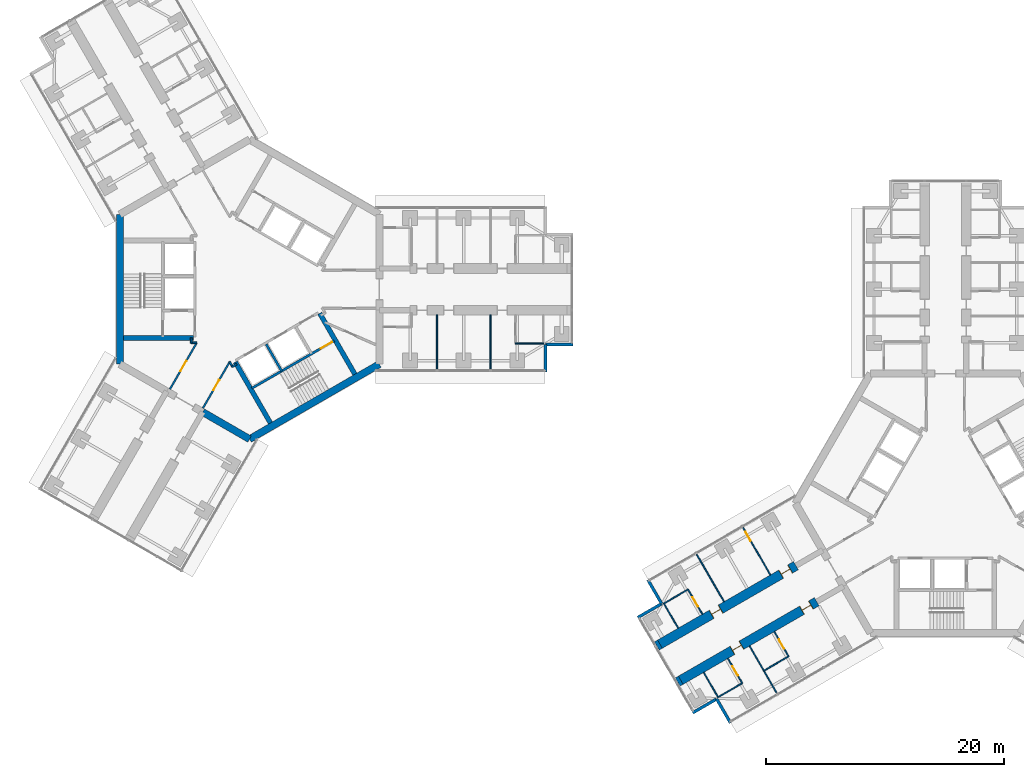
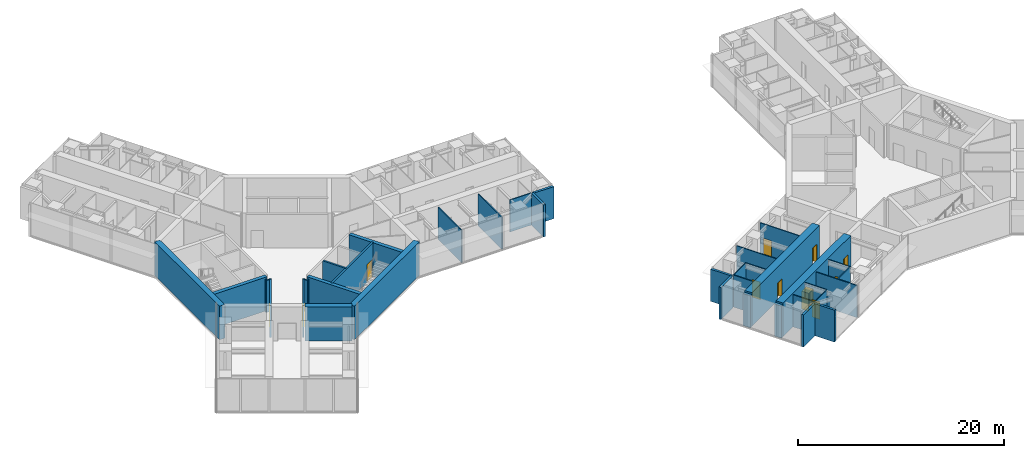
# One storey, part 15 of 23: 38 walls, 11 doors, 11 openings.
"""IFC4 building model written with IfcOpenShell, lengths in metres."""

from ifc_helpers import new_model, si_unit, direction, frame, frame_2d, origin, place, context, subcontext, project, spatial, rectangle, extrude, material, layer, layer_set, type_object, element, fill, save


model = new_model("IFC4")

# Units and contexts
model_context = context("Model", 3, precision=1e-05, world=origin(), true_north=direction((0.0, 1.0)))
body_context = subcontext(model_context, "Body", "Model", "MODEL_VIEW")
ifc_project = project(units=[si_unit("LENGTHUNIT", "METRE"), si_unit("AREAUNIT", "SQUARE_METRE"), si_unit("VOLUMEUNIT", "CUBIC_METRE"), si_unit("PLANEANGLEUNIT", "RADIAN"), si_unit("MASSUNIT", "GRAM", prefix="KILO")], contexts=[model_context])

# Site, building, storey
site_placement = place(None, origin())
site = spatial("IfcSite", under=ifc_project, at=site_placement, CompositionType="ELEMENT")
building_placement = place(site_placement, origin())
building = spatial("IfcBuilding", under=site, at=building_placement, Name="Upepo Twin Towers", CompositionType="ELEMENT")
storey_placement = place(building_placement, frame((0.0, 0.0, 145.5)))
storey = spatial("IfcBuildingStorey", under=building, at=storey_placement, Name="L35", CompositionType="ELEMENT", Elevation=145.5)

# Walls
ifc_material_1 = material(Name="Dense concrete blockwork", Category="masonry")
ifc_layer_1 = layer(ifc_material_1, 0.800048828125)
ifc_layer_set_1 = layer_set([ifc_layer_1], Name="Buttress closer 800, blockwork with fire-stopping to the curtain wall")
wall_type_1 = type_object("IfcWallType", Name="Buttress closer 800, blockwork with fire-stopping to the curtain wall", PredefinedType="PARTITIONING", material=ifc_layer_set_1)
wall_1_placement = place(storey_placement, frame((36.252197265625, -32.865478515625, 0.0), z_axis=(0.0, 0.0, 1.0), x_axis=(-0.865778900179, -0.500426713919, 0.0)))
element("IfcWall", 1, at=wall_1_placement, inside=storey, type_object=wall_type_1, Name="T2 L35 wing B buttress closer L", PredefinedType="PARTITIONING", context=body_context, shape_type="SweptSolid", body=[
    extrude(rectangle(XDim=0.300048828125, YDim=0.800048828125, at=frame_2d((0.14990234375, 0.0))), origin(), (0.0, 0.0, 1.0), 3.800048828125),
])
wall_2_placement = place(storey_placement, frame((34.502197265625, -29.83447265625, 0.0), z_axis=(0.0, 0.0, 1.0), x_axis=(-0.866131372301, -0.499816412211, 0.0)))
element("IfcWall", 2, at=wall_2_placement, inside=storey, type_object=wall_type_1, Name="T2 L35 wing B buttress closer R", PredefinedType="PARTITIONING", context=body_context, shape_type="SweptSolid", body=[
    extrude(rectangle(XDim=0.2998046875, YDim=0.800048828125, at=frame_2d((0.14990234375, 0.0))), origin(), (0.0, 0.0, 1.0), 3.800048828125),
])

# Wall, openings, doors
ifc_material_2 = material(Name="Concrete C60/75", Category="concrete")
ifc_layer_2 = layer(ifc_material_2, 0.800048828125)
ifc_layer_set_2 = layer_set([ifc_layer_2], Name="Concrete C60/75")
wall_type_2 = type_object("IfcWallType", Name="Buttress wall 800 RC", PredefinedType="SHEAR", material=ifc_layer_set_2)
wall_3_placement = place(storey_placement, frame((47.68359375, -26.265625, 0.0), z_axis=(0.0, 0.0, 1.0), x_axis=(-0.866027579429, -0.499996231654, 0.0)))
wall_3 = element("IfcWall", 3, at=wall_3_placement, inside=storey, type_object=wall_type_2, Name="T2 wing B buttress wall L part 2", PredefinedType="SHEAR", context=body_context, shape_type="SweptSolid", body=[
    extrude(rectangle(XDim=13.19970703125, YDim=0.800048828125, at=frame_2d((6.599853515625, 0.0))), origin(), (0.0, 0.0, 1.0), 4.0),
])
opening_1_placement = place(wall_3_placement, frame((0.550048828125, 0.0, 0.0)))
opening_1 = element("IfcOpeningElement", 4, at=opening_1_placement, cuts=wall_3, Name="Opening D14", PredefinedType="OPENING", context=body_context, shape_type="SweptSolid", body=[
    extrude(rectangle(XDim=0.89990234375, YDim=2.10009765625, at=frame_2d((0.449951171875, 1.050048828125))), frame((0.0, 0.409912109375, 0.0), z_axis=(0.0, -1.0, 0.0), x_axis=(1.0, 0.0, 0.0)), (0.0, 0.0, 1.0), 0.820068359375),
])
opening_2_placement = place(wall_3_placement, frame((7.300048828125, 0.0, 0.0)))
opening_2 = element("IfcOpeningElement", 5, at=opening_2_placement, cuts=wall_3, Name="Opening D14", PredefinedType="OPENING", context=body_context, shape_type="SweptSolid", body=[
    extrude(rectangle(XDim=0.89990234375, YDim=2.10009765625, at=frame_2d((0.449951171875, 1.050048828125))), frame((0.0, 0.409912109375, 0.0), z_axis=(0.0, -1.0, 0.0), x_axis=(1.0, 0.0, 0.0)), (0.0, 0.0, 1.0), 0.820068359375),
])
ifc_material_3 = material(Name="Timber doorset", Category="wood")
door_type_1 = type_object("IfcDoorType", Name="Office door 900 FD30", OperationType="SINGLE_SWING_LEFT", PredefinedType="DOOR", material=ifc_material_3)
door_1_placement = place(opening_1_placement, origin())
door_1 = element("IfcDoor", 6, at=door_1_placement, inside=storey, type_object=door_type_1, Name="T2 L35 law clinic door", OperationType="SINGLE_SWING_LEFT", OverallHeight=2.10009765625, OverallWidth=0.89990234375, PredefinedType="DOOR", context=body_context, shape_type="SweptSolid", body=[
    extrude(rectangle(XDim=0.81990234375, YDim=2.06009765625, at=frame_2d((0.449951171875, 1.030029296875))), frame((0.0, 0.02490234375, 0.0), z_axis=(0.0, -1.0, 0.0), x_axis=(1.0, 0.0, 0.0)), (0.0, 0.0, 1.0), 0.050048828125),
    extrude(rectangle(XDim=0.04, YDim=2.10009765625, at=frame_2d((0.02001953125, 1.050048828125))), frame((0.0, 0.39990234375, 0.0), z_axis=(0.0, -1.0, 0.0), x_axis=(1.0, 0.0, 0.0)), (0.0, 0.0, 1.0), 0.799560546875),
    extrude(rectangle(XDim=0.04, YDim=2.10009765625, at=frame_2d((0.8798828125, 1.050048828125))), frame((0.0, 0.39990234375, 0.0), z_axis=(0.0, -1.0, 0.0), x_axis=(1.0, 0.0, 0.0)), (0.0, 0.0, 1.0), 0.799560546875),
    extrude(rectangle(XDim=0.81990234375, YDim=0.04, at=frame_2d((0.449951171875, 2.080078125))), frame((0.0, 0.39990234375, 0.0), z_axis=(0.0, -1.0, 0.0), x_axis=(1.0, 0.0, 0.0)), (0.0, 0.0, 1.0), 0.799560546875),
])
fill(opening_1, door_1)
door_2_placement = place(opening_2_placement, origin())
door_2 = element("IfcDoor", 7, at=door_2_placement, inside=storey, type_object=door_type_1, Name="T2 L35 staff office door", OperationType="SINGLE_SWING_RIGHT", OverallHeight=2.10009765625, OverallWidth=0.89990234375, PredefinedType="DOOR", context=body_context, shape_type="SweptSolid", body=[
    extrude(rectangle(XDim=0.81990234375, YDim=2.06009765625, at=frame_2d((0.449951171875, 1.030029296875))), frame((0.0, 0.02490234375, 0.0), z_axis=(0.0, -1.0, 0.0), x_axis=(1.0, 0.0, 0.0)), (0.0, 0.0, 1.0), 0.050048828125),
    extrude(rectangle(XDim=0.04, YDim=2.10009765625, at=frame_2d((0.02001953125, 1.050048828125))), frame((0.0, 0.39990234375, 0.0), z_axis=(0.0, -1.0, 0.0), x_axis=(1.0, 0.0, 0.0)), (0.0, 0.0, 1.0), 0.799560546875),
    extrude(rectangle(XDim=0.04, YDim=2.10009765625, at=frame_2d((0.8798828125, 1.050048828125))), frame((0.0, 0.39990234375, 0.0), z_axis=(0.0, -1.0, 0.0), x_axis=(1.0, 0.0, 0.0)), (0.0, 0.0, 1.0), 0.799560546875),
    extrude(rectangle(XDim=0.81990234375, YDim=0.04, at=frame_2d((0.449951171875, 2.080078125))), frame((0.0, 0.39990234375, 0.0), z_axis=(0.0, -1.0, 0.0), x_axis=(1.0, 0.0, 0.0)), (0.0, 0.0, 1.0), 0.799560546875),
])
fill(opening_2, door_2)

wall_4_placement = place(storey_placement, frame((45.93359375, -23.234375, 0.0), z_axis=(0.0, 0.0, 1.0), x_axis=(-0.866019570528, -0.500010103361, 0.0)))
wall_4 = element("IfcWall", 8, at=wall_4_placement, inside=storey, type_object=wall_type_2, Name="T2 wing B buttress wall R part 2", PredefinedType="SHEAR", context=body_context, shape_type="SweptSolid", body=[
    extrude(rectangle(XDim=13.199951171875, YDim=0.800048828125, at=frame_2d((6.60009765625, 0.0))), origin(), (0.0, 0.0, 1.0), 4.0),
])
opening_3_placement = place(wall_4_placement, frame((0.550048828125, 0.0, 0.0)))
opening_3 = element("IfcOpeningElement", 9, at=opening_3_placement, cuts=wall_4, Name="Opening D14", PredefinedType="OPENING", context=body_context, shape_type="SweptSolid", body=[
    extrude(rectangle(XDim=0.89990234375, YDim=2.10009765625, at=frame_2d((0.449951171875, 1.050048828125))), frame((0.0, 0.409912109375, 0.0), z_axis=(0.0, -1.0, 0.0), x_axis=(1.0, 0.0, 0.0)), (0.0, 0.0, 1.0), 0.820068359375),
])
opening_4_placement = place(wall_4_placement, frame((7.300048828125, 0.0, 0.0)))
opening_4 = element("IfcOpeningElement", 10, at=opening_4_placement, cuts=wall_4, Name="Opening D14", PredefinedType="OPENING", context=body_context, shape_type="SweptSolid", body=[
    extrude(rectangle(XDim=0.89990234375, YDim=2.10009765625, at=frame_2d((0.449951171875, 1.050048828125))), frame((0.0, 0.409912109375, 0.0), z_axis=(0.0, -1.0, 0.0), x_axis=(1.0, 0.0, 0.0)), (0.0, 0.0, 1.0), 0.820068359375),
])
door_3_placement = place(opening_3_placement, origin())
door_3 = element("IfcDoor", 11, at=door_3_placement, inside=storey, type_object=door_type_1, Name="T2 L35 meeting room door", OperationType="SINGLE_SWING_LEFT", OverallHeight=2.10009765625, OverallWidth=0.89990234375, PredefinedType="DOOR", context=body_context, shape_type="SweptSolid", body=[
    extrude(rectangle(XDim=0.81990234375, YDim=2.06009765625, at=frame_2d((0.449951171875, 1.030029296875))), frame((0.0, 0.02490234375, 0.0), z_axis=(0.0, -1.0, 0.0), x_axis=(1.0, 0.0, 0.0)), (0.0, 0.0, 1.0), 0.050048828125),
    extrude(rectangle(XDim=0.04, YDim=2.10009765625, at=frame_2d((0.02001953125, 1.050048828125))), frame((0.0, 0.39990234375, 0.0), z_axis=(0.0, -1.0, 0.0), x_axis=(1.0, 0.0, 0.0)), (0.0, 0.0, 1.0), 0.799560546875),
    extrude(rectangle(XDim=0.04, YDim=2.10009765625, at=frame_2d((0.8798828125, 1.050048828125))), frame((0.0, 0.39990234375, 0.0), z_axis=(0.0, -1.0, 0.0), x_axis=(1.0, 0.0, 0.0)), (0.0, 0.0, 1.0), 0.799560546875),
    extrude(rectangle(XDim=0.81990234375, YDim=0.04, at=frame_2d((0.449951171875, 2.080078125))), frame((0.0, 0.39990234375, 0.0), z_axis=(0.0, -1.0, 0.0), x_axis=(1.0, 0.0, 0.0)), (0.0, 0.0, 1.0), 0.799560546875),
])
fill(opening_3, door_3)
door_4_placement = place(opening_4_placement, origin())
door_4 = element("IfcDoor", 12, at=door_4_placement, inside=storey, type_object=door_type_1, Name="T2 L35 postgraduate office door", OperationType="SINGLE_SWING_RIGHT", OverallHeight=2.10009765625, OverallWidth=0.89990234375, PredefinedType="DOOR", context=body_context, shape_type="SweptSolid", body=[
    extrude(rectangle(XDim=0.81990234375, YDim=2.06009765625, at=frame_2d((0.449951171875, 1.030029296875))), frame((0.0, 0.02490234375, 0.0), z_axis=(0.0, -1.0, 0.0), x_axis=(1.0, 0.0, 0.0)), (0.0, 0.0, 1.0), 0.050048828125),
    extrude(rectangle(XDim=0.04, YDim=2.10009765625, at=frame_2d((0.02001953125, 1.050048828125))), frame((0.0, 0.39990234375, 0.0), z_axis=(0.0, -1.0, 0.0), x_axis=(1.0, 0.0, 0.0)), (0.0, 0.0, 1.0), 0.799560546875),
    extrude(rectangle(XDim=0.04, YDim=2.10009765625, at=frame_2d((0.8798828125, 1.050048828125))), frame((0.0, 0.39990234375, 0.0), z_axis=(0.0, -1.0, 0.0), x_axis=(1.0, 0.0, 0.0)), (0.0, 0.0, 1.0), 0.799560546875),
    extrude(rectangle(XDim=0.81990234375, YDim=0.04, at=frame_2d((0.449951171875, 2.080078125))), frame((0.0, 0.39990234375, 0.0), z_axis=(0.0, -1.0, 0.0), x_axis=(1.0, 0.0, 0.0)), (0.0, 0.0, 1.0), 0.799560546875),
])
fill(opening_4, door_4)

# Walls
ifc_material_4 = material(Name="Concrete C60/75", Category="concrete")
ifc_layer_3 = layer(ifc_material_4, 0.60009765625)
ifc_layer_set_3 = layer_set([ifc_layer_3], Name="Concrete C60/75")
wall_type_3 = type_object("IfcWallType", Name="Core wall 600 RC", PredefinedType="SHEAR", material=ifc_layer_set_3)
wall_5_placement = place(storey_placement, frame((-10.908447265625, 6.2978515625, 0.0), z_axis=(0.0, 0.0, 1.0), x_axis=(0.0, -1.0, 0.0)))
element("IfcWall", 13, at=wall_5_placement, inside=storey, type_object=wall_type_3, Name="T1 core wall 180", PredefinedType="SHEAR", context=body_context, shape_type="SweptSolid", body=[
    extrude(rectangle(XDim=12.595703125, YDim=0.60009765625, at=frame_2d((6.2978515625, 0.0))), origin(), (0.0, 0.0, 1.0), 4.0),
])
wall_6_placement = place(storey_placement, frame((-3.938720703125, -10.32177734375, 0.0), z_axis=(0.0, 0.0, 1.0), x_axis=(0.866011268655, -0.500024481964, 0.0)))
element("IfcWall", 14, at=wall_6_placement, inside=storey, type_object=wall_type_3, Name="T1 core wall 240 L", PredefinedType="SHEAR", context=body_context, shape_type="SweptSolid", body=[
    extrude(rectangle(XDim=4.548095703125, YDim=0.60009765625, at=frame_2d((2.27392578125, 0.0))), origin(), (0.0, 0.0, 1.0), 4.0),
])
wall_7_placement = place(storey_placement, frame((0.0, -12.595947265625, 0.0), z_axis=(0.0, 0.0, 1.0), x_axis=(0.866021940709, 0.500005998175, 0.0)))
element("IfcWall", 15, at=wall_7_placement, inside=storey, type_object=wall_type_3, Name="T1 core wall 300", PredefinedType="SHEAR", context=body_context, shape_type="SweptSolid", body=[
    extrude(rectangle(XDim=12.595947265625, YDim=0.60009765625, at=frame_2d((6.2978515625, 0.0))), origin(), (0.0, 0.0, 1.0), 4.0),
])
ifc_material_5 = material(Name="Blockwork with anodised aluminium cladding", Category="masonry")
ifc_layer_4 = layer(ifc_material_5, 0.25)
ifc_layer_set_4 = layer_set([ifc_layer_4], Name="Notch cladding wall 250, pale metal")
wall_type_4 = type_object("IfcWallType", Name="Notch cladding wall 250, pale metal", PredefinedType="STANDARD", material=ifc_layer_set_4)
for number, where, z_axis, x_axis, name in (
    (16, (24.875, -6.949951171875, 0.0), (0.0, 0.0, 1.0), (0.0, 1.0, 0.0), "T1 L35 wing A notch wall R1"),
    (17, (24.875, -4.625, 0.0), (0.0, 0.0, 1.0), (1.0, 0.0, 0.0), "T1 L35 wing A notch wall R2"),
    (18, (40.4326171875, -36.456298828125, 0.0), (0.0, 0.0, 1.0), (-0.500046648681, 0.865998469481, 0.0), "T2 L35 wing B notch wall L1"),
    (19, (39.27001953125, -34.44287109375, 0.0), (0.0, 0.0, 1.0), (-0.865998469481, -0.500046648681, 0.0), "T2 L35 wing B notch wall L2"),
    (20, (33.482666015625, -24.418701171875, 0.0), (0.0, 0.0, 1.0), (0.499967891604, -0.866043940782, 0.0), "T2 L35 wing B notch wall R1"),
    (21, (34.64501953125, -26.43212890625, 0.0), (0.0, 0.0, 1.0), (-0.865998469481, -0.500046648681, 0.0), "T2 L35 wing B notch wall R2"),
):
    element("IfcWall", number, at=place(storey_placement, frame(where, z_axis=z_axis, x_axis=x_axis)), inside=storey, type_object=wall_type_4, Name=name, PredefinedType="STANDARD", context=body_context, shape_type="SweptSolid", body=[
        extrude(rectangle(XDim=2.324951171875, YDim=0.25, at=frame_2d((1.16259765625, 0.0))), origin(), (0.0, 0.0, 1.0), 3.800048828125),
    ])
ifc_material_6 = material(Name="Gypsum board on steel studs", Category="steel")
ifc_layer_5 = layer(ifc_material_6, 0.10009765625)
ifc_layer_set_5 = layer_set([ifc_layer_5], Name="Office partition 100 stud")
wall_type_5 = type_object("IfcWallType", Name="Office partition 100 stud", PredefinedType="PARTITIONING", material=ifc_layer_set_5)
for number, where, z_axis, x_axis, name in (
    (22, (15.75, -2.14990234375, 0.0), (0.0, 0.0, 1.0), (0.0, -1.0, 0.0), "T1 partition AR at 15.75"),
    (23, (20.25, -2.14990234375, 0.0), (0.0, 0.0, 1.0), (0.0, -1.0, 0.0), "T1 partition AR at 20.25"),
):
    element("IfcWall", number, at=place(storey_placement, frame(where, z_axis=z_axis, x_axis=x_axis)), inside=storey, type_object=wall_type_5, Name=name, PredefinedType="PARTITIONING", context=body_context, shape_type="SweptSolid", body=[
        extrude(rectangle(XDim=4.60009765625, YDim=0.10009765625, at=frame_2d((2.300048828125, 0.0))), origin(), (0.0, 0.0, 1.0), 3.800048828125),
    ])
wall_8_placement = place(storey_placement, frame((22.35009765625, -4.550048828125, 0.0), z_axis=(0.0, 0.0, 1.0), x_axis=(1.0, 0.0, 0.0)))
element("IfcWall", 24, at=wall_8_placement, inside=storey, type_object=wall_type_5, Name="T1 inner room partition AR at 22.35", PredefinedType="PARTITIONING", context=body_context, shape_type="SweptSolid", body=[
    extrude(rectangle(XDim=2.39990234375, YDim=0.10009765625, at=frame_2d((1.199951171875, 0.0))), origin(), (0.0, 0.0, 1.0), 3.800048828125),
])
wall_9_placement = place(storey_placement, frame((42.0380859375, -29.987060546875, 0.0), z_axis=(0.0, 0.0, 1.0), x_axis=(0.499975146636, -0.866039752405, 0.0)))
element("IfcWall", 25, at=wall_9_placement, inside=storey, type_object=wall_type_5, Name="T2 partition BL at 20.25", PredefinedType="PARTITIONING", context=body_context, shape_type="SweptSolid", body=[
    extrude(rectangle(XDim=4.599853515625, YDim=0.10009765625, at=frame_2d((2.2998046875, 0.0))), origin(), (0.0, 0.0, 1.0), 3.800048828125),
])
wall_10_placement = place(storey_placement, frame((45.31640625, -30.865478515625, 0.0), z_axis=(0.0, 0.0, 1.0), x_axis=(-0.866024647952, -0.500001309137, 0.0)))
element("IfcWall", 26, at=wall_10_placement, inside=storey, type_object=wall_type_5, Name="T2 inner room partition BL at 17.85", PredefinedType="PARTITIONING", context=body_context, shape_type="SweptSolid", body=[
    extrude(rectangle(XDim=2.39990234375, YDim=0.10009765625, at=frame_2d((1.199951171875, 0.0))), origin(), (0.0, 0.0, 1.0), 3.800048828125),
])

# Wall, opening, door
wall_11_placement = place(storey_placement, frame((44.116455078125, -28.786865234375, 0.0), z_axis=(0.0, 0.0, 1.0), x_axis=(0.499957262057, -0.866050077142, 0.0)))
wall_11 = element("IfcWall", 27, at=wall_11_placement, inside=storey, type_object=wall_type_5, Name="T2 inner room partition BL end at 17.85", PredefinedType="PARTITIONING", context=body_context, shape_type="SweptSolid", body=[
    extrude(rectangle(XDim=2.400146484375, YDim=0.10009765625, at=frame_2d((1.2001953125, 0.0))), origin(), (0.0, 0.0, 1.0), 3.800048828125),
])
opening_5_placement = place(wall_11_placement, frame((0.75, 0.0, 0.0)))
opening_5 = element("IfcOpeningElement", 28, at=opening_5_placement, cuts=wall_11, Name="Opening D14", PredefinedType="OPENING", context=body_context, shape_type="SweptSolid", body=[
    extrude(rectangle(XDim=0.89990234375, YDim=2.10009765625, at=frame_2d((0.449951171875, 1.050048828125))), frame((0.0, 0.06005859375, 0.0), z_axis=(0.0, -1.0, 0.0), x_axis=(1.0, 0.0, 0.0)), (0.0, 0.0, 1.0), 0.1201171875),
])
door_5_placement = place(opening_5_placement, origin())
door_5 = element("IfcDoor", 29, at=door_5_placement, inside=storey, type_object=door_type_1, Name="T2 L35 inner room door", OperationType="SINGLE_SWING_LEFT", OverallHeight=2.10009765625, OverallWidth=0.89990234375, PredefinedType="DOOR", context=body_context, shape_type="SweptSolid", body=[
    extrude(rectangle(XDim=0.89990234375, YDim=2.10009765625, at=frame_2d((0.449951171875, 1.050048828125))), frame((0.0, 0.02490234375, 0.0), z_axis=(0.0, -1.0, 0.0), x_axis=(1.0, 0.0, 0.0)), (0.0, 0.0, 1.0), 0.050048828125),
])
fill(opening_5, door_5)

# Wall
wall_12_placement = place(storey_placement, frame((41.41943359375, -33.115478515625, 0.0), z_axis=(0.0, 0.0, 1.0), x_axis=(-0.866050077142, -0.499957262057, 0.0)))
element("IfcWall", 30, at=wall_12_placement, inside=storey, type_object=wall_type_5, Name="T2 inner room partition BL at 22.35", PredefinedType="PARTITIONING", context=body_context, shape_type="SweptSolid", body=[
    extrude(rectangle(XDim=2.400146484375, YDim=0.10009765625, at=frame_2d((1.2001953125, 0.0))), origin(), (0.0, 0.0, 1.0), 3.800048828125),
])

# Wall, opening, door
wall_13_placement = place(storey_placement, frame((40.21923828125, -31.036865234375, 0.0), z_axis=(0.0, 0.0, 1.0), x_axis=(0.500033551112, -0.866006032174, 0.0)))
wall_13 = element("IfcWall", 31, at=wall_13_placement, inside=storey, type_object=wall_type_5, Name="T2 inner room partition BL end at 22.35", PredefinedType="PARTITIONING", context=body_context, shape_type="SweptSolid", body=[
    extrude(rectangle(XDim=2.400146484375, YDim=0.10009765625, at=frame_2d((1.2001953125, 0.0))), origin(), (0.0, 0.0, 1.0), 3.800048828125),
])
opening_6_placement = place(wall_13_placement, frame((0.75, 0.0, 0.0)))
opening_6 = element("IfcOpeningElement", 32, at=opening_6_placement, cuts=wall_13, Name="Opening D14", PredefinedType="OPENING", context=body_context, shape_type="SweptSolid", body=[
    extrude(rectangle(XDim=0.89990234375, YDim=2.10009765625, at=frame_2d((0.449951171875, 1.050048828125))), frame((0.0, 0.06005859375, 0.0), z_axis=(0.0, -1.0, 0.0), x_axis=(1.0, 0.0, 0.0)), (0.0, 0.0, 1.0), 0.1201171875),
])
door_6_placement = place(opening_6_placement, origin())
door_6 = element("IfcDoor", 33, at=door_6_placement, inside=storey, type_object=door_type_1, Name="T2 L35 inner room door", OperationType="SINGLE_SWING_LEFT", OverallHeight=2.10009765625, OverallWidth=0.89990234375, PredefinedType="DOOR", context=body_context, shape_type="SweptSolid", body=[
    extrude(rectangle(XDim=0.89990234375, YDim=2.10009765625, at=frame_2d((0.449951171875, 1.050048828125))), frame((0.0, 0.02490234375, 0.0), z_axis=(0.0, -1.0, 0.0), x_axis=(1.0, 0.0, 0.0)), (0.0, 0.0, 1.0), 0.050048828125),
])
fill(opening_6, door_6)

# Wall
wall_14_placement = place(storey_placement, frame((38.18408203125, -32.2119140625, 0.0), z_axis=(0.0, 0.0, 1.0), x_axis=(0.500033551112, -0.866006032174, 0.0)))
element("IfcWall", 34, at=wall_14_placement, inside=storey, type_object=wall_type_5, Name="T2 inner room partition BL end at 24.75", PredefinedType="PARTITIONING", context=body_context, shape_type="SweptSolid", body=[
    extrude(rectangle(XDim=2.400146484375, YDim=0.10009765625, at=frame_2d((1.2001953125, 0.0))), origin(), (0.0, 0.0, 1.0), 3.800048828125),
])

# Wall, opening, door
wall_15_placement = place(storey_placement, frame((43.78515625, -24.012939453125, 0.0), z_axis=(0.0, 0.0, 1.0), x_axis=(-0.500014953309, 0.866016770315, 0.0)))
wall_15 = element("IfcWall", 35, at=wall_15_placement, inside=storey, type_object=wall_type_5, Name="T2 partition BR at 15.75", PredefinedType="PARTITIONING", context=body_context, shape_type="SweptSolid", body=[
    extrude(rectangle(XDim=4.599853515625, YDim=0.10009765625, at=frame_2d((2.2998046875, 0.0))), origin(), (0.0, 0.0, 1.0), 3.800048828125),
])
opening_7_placement = place(wall_15_placement, frame((3.300048828125, 0.0, 0.0)))
opening_7 = element("IfcOpeningElement", 36, at=opening_7_placement, cuts=wall_15, Name="Opening D14", PredefinedType="OPENING", context=body_context, shape_type="SweptSolid", body=[
    extrude(rectangle(XDim=0.89990234375, YDim=2.10009765625, at=frame_2d((0.449951171875, 1.050048828125))), frame((0.0, 0.06005859375, 0.0), z_axis=(0.0, -1.0, 0.0), x_axis=(1.0, 0.0, 0.0)), (0.0, 0.0, 1.0), 0.1201171875),
])
door_7_placement = place(opening_7_placement, origin())
door_7 = element("IfcDoor", 37, at=door_7_placement, inside=storey, type_object=door_type_1, Name="T2 L35 connecting door", OperationType="SINGLE_SWING_RIGHT", OverallHeight=2.10009765625, OverallWidth=0.89990234375, PredefinedType="DOOR", context=body_context, shape_type="SweptSolid", body=[
    extrude(rectangle(XDim=0.89990234375, YDim=2.10009765625, at=frame_2d((0.449951171875, 1.050048828125))), frame((0.0, 0.02490234375, 0.0), z_axis=(0.0, -1.0, 0.0), x_axis=(1.0, 0.0, 0.0)), (0.0, 0.0, 1.0), 0.050048828125),
])
fill(opening_7, door_7)

# Walls
wall_16_placement = place(storey_placement, frame((39.887939453125, -26.262939453125, 0.0), z_axis=(0.0, 0.0, 1.0), x_axis=(-0.500014953309, 0.866016770315, 0.0)))
element("IfcWall", 38, at=wall_16_placement, inside=storey, type_object=wall_type_5, Name="T2 partition BR at 20.25", PredefinedType="PARTITIONING", context=body_context, shape_type="SweptSolid", body=[
    extrude(rectangle(XDim=4.599853515625, YDim=0.10009765625, at=frame_2d((2.2998046875, 0.0))), origin(), (0.0, 0.0, 1.0), 3.800048828125),
])
wall_17_placement = place(storey_placement, frame((36.869384765625, -25.234619140625, 0.0), z_axis=(0.0, 0.0, 1.0), x_axis=(-0.866050077142, -0.499957262057, 0.0)))
element("IfcWall", 39, at=wall_17_placement, inside=storey, type_object=wall_type_5, Name="T2 inner room partition BR at 22.35", PredefinedType="PARTITIONING", context=body_context, shape_type="SweptSolid", body=[
    extrude(rectangle(XDim=2.400146484375, YDim=0.10009765625, at=frame_2d((1.2001953125, 0.0))), origin(), (0.0, 0.0, 1.0), 3.800048828125),
])

# Wall, opening, door
wall_18_placement = place(storey_placement, frame((38.0693359375, -27.31298828125, 0.0), z_axis=(0.0, 0.0, 1.0), x_axis=(-0.500001309137, 0.866024647952, 0.0)))
wall_18 = element("IfcWall", 40, at=wall_18_placement, inside=storey, type_object=wall_type_5, Name="T2 inner room partition BR end at 22.35", PredefinedType="PARTITIONING", context=body_context, shape_type="SweptSolid", body=[
    extrude(rectangle(XDim=2.39990234375, YDim=0.10009765625, at=frame_2d((1.199951171875, 0.0))), origin(), (0.0, 0.0, 1.0), 3.800048828125),
])
opening_8_placement = place(wall_18_placement, frame((0.75, 0.0, 0.0)))
opening_8 = element("IfcOpeningElement", 41, at=opening_8_placement, cuts=wall_18, Name="Opening D14", PredefinedType="OPENING", context=body_context, shape_type="SweptSolid", body=[
    extrude(rectangle(XDim=0.89990234375, YDim=2.10009765625, at=frame_2d((0.449951171875, 1.050048828125))), frame((0.0, 0.06005859375, 0.0), z_axis=(0.0, -1.0, 0.0), x_axis=(1.0, 0.0, 0.0)), (0.0, 0.0, 1.0), 0.1201171875),
])
door_8_placement = place(opening_8_placement, origin())
door_8 = element("IfcDoor", 42, at=door_8_placement, inside=storey, type_object=door_type_1, Name="T2 L35 inner room door", OperationType="SINGLE_SWING_LEFT", OverallHeight=2.10009765625, OverallWidth=0.89990234375, PredefinedType="DOOR", context=body_context, shape_type="SweptSolid", body=[
    extrude(rectangle(XDim=0.89990234375, YDim=2.10009765625, at=frame_2d((0.449951171875, 1.050048828125))), frame((0.0, 0.02490234375, 0.0), z_axis=(0.0, -1.0, 0.0), x_axis=(1.0, 0.0, 0.0)), (0.0, 0.0, 1.0), 0.050048828125),
])
fill(opening_8, door_8)

# Walls
wall_19_placement = place(storey_placement, frame((36.0341796875, -28.488037109375, 0.0), z_axis=(0.0, 0.0, 1.0), x_axis=(-0.500001309137, 0.866024647952, 0.0)))
element("IfcWall", 43, at=wall_19_placement, inside=storey, type_object=wall_type_5, Name="T2 inner room partition BR end at 24.75", PredefinedType="PARTITIONING", context=body_context, shape_type="SweptSolid", body=[
    extrude(rectangle(XDim=2.39990234375, YDim=0.10009765625, at=frame_2d((1.199951171875, 0.0))), origin(), (0.0, 0.0, 1.0), 3.800048828125),
])
ifc_material_7 = material(Name="Concrete C40/50", Category="concrete")
ifc_layer_6 = layer(ifc_material_7, 0.199951171875)
ifc_layer_set_6 = layer_set([ifc_layer_6], Name="Concrete C40/50")
wall_type_6 = type_object("IfcWallType", Name="Shaft wall 200 RC", PredefinedType="SHEAR", material=ifc_layer_set_6)
wall_20_placement = place(storey_placement, frame((1.3974609375, -4.620361328125, 0.0), z_axis=(0.0, 0.0, 1.0), x_axis=(0.499936506574, -0.866062058628, 0.0)))
element("IfcWall", 44, at=wall_20_placement, inside=storey, type_object=wall_type_6, Name="T1 core W300 shaft divider", PredefinedType="SHEAR", context=body_context, shape_type="SweptSolid", body=[
    extrude(rectangle(XDim=2.599853515625, YDim=0.199951171875, at=frame_2d((1.2998046875, 0.0))), origin(), (0.0, 0.0, 1.0), 4.0),
])

# Wall, opening, door
wall_21_placement = place(storey_placement, frame((0.185791015625, -8.322021484375, 0.0), z_axis=(0.0, 0.0, 1.0), x_axis=(0.866026010844, 0.49999894854, 0.0)))
wall_21 = element("IfcWall", 45, at=wall_21_placement, inside=storey, type_object=wall_type_6, Name="T1 core W300 stair wall", PredefinedType="SHEAR", context=body_context, shape_type="SweptSolid", body=[
    extrude(rectangle(XDim=8.0, YDim=0.199951171875, at=frame_2d((4.0, 0.0))), origin(), (0.0, 0.0, 1.0), 4.0),
])
opening_9_placement = place(wall_21_placement, frame((6.699951171875, 0.0, 0.0)))
opening_9 = element("IfcOpeningElement", 46, at=opening_9_placement, cuts=wall_21, Name="Opening D3", PredefinedType="OPENING", context=body_context, shape_type="SweptSolid", body=[
    extrude(rectangle(XDim=1.10009765625, YDim=2.10009765625, at=frame_2d((0.550048828125, 1.050048828125))), frame((0.0, 0.10986328125, 0.0), z_axis=(0.0, -1.0, 0.0), x_axis=(1.0, 0.0, 0.0)), (0.0, 0.0, 1.0), 0.219970703125),
])
ifc_material_8 = material(Name="Timber doorset", Category="wood")
door_type_2 = type_object("IfcDoorType", Name="Stair door 1100 FD60", OperationType="SINGLE_SWING_LEFT", PredefinedType="DOOR", material=ifc_material_8)
door_9_placement = place(opening_9_placement, origin())
door_9 = element("IfcDoor", 47, at=door_9_placement, inside=storey, type_object=door_type_2, Name="T1 L35 stair door", OperationType="SINGLE_SWING_RIGHT", OverallHeight=2.10009765625, OverallWidth=1.10009765625, PredefinedType="DOOR", context=body_context, shape_type="SweptSolid", body=[
    extrude(rectangle(XDim=1.10009765625, YDim=2.10009765625, at=frame_2d((0.550048828125, 1.050048828125))), frame((0.0, 0.02490234375, 0.0), z_axis=(0.0, -1.0, 0.0), x_axis=(1.0, 0.0, 0.0)), (0.0, 0.0, 1.0), 0.050048828125),
])
fill(opening_9, door_9)

# Walls
ifc_material_9 = material(Name="Concrete C40/50", Category="concrete")
ifc_layer_7 = layer(ifc_material_9, 0.39990234375)
ifc_layer_set_7 = layer_set([ifc_layer_7], Name="Concrete C40/50")
wall_type_7 = type_object("IfcWallType", Name="Shaft wall 400 RC", PredefinedType="SHEAR", material=ifc_layer_set_7)
for number, where, z_axis, x_axis, name in (
    (48, (-4.699951171875, -4.10009765625, 0.0), (0.0, 0.0, 1.0), (-1.0, 0.0, 0.0), "T1 core W180 side wall N"),
    (49, (5.900634765625, -2.020263671875, 0.0), (0.0, 0.0, 1.0), (0.500027676417, -0.866009424208, 0.0), "T1 core W300 side wall N"),
):
    element("IfcWall", number, at=place(storey_placement, frame(where, z_axis=z_axis, x_axis=x_axis)), inside=storey, type_object=wall_type_7, Name=name, PredefinedType="SHEAR", context=body_context, shape_type="SweptSolid", body=[
        extrude(rectangle(XDim=5.908447265625, YDim=0.39990234375, at=frame_2d((2.9541015625, 0.0))), origin(), (0.0, 0.0, 1.0), 4.0),
    ])
wall_22_placement = place(storey_placement, frame((-1.20068359375, -6.120361328125, 0.0), z_axis=(0.0, 0.0, 1.0), x_axis=(0.49999668571, -0.866027317282, 0.0)))
element("IfcWall", 50, at=wall_22_placement, inside=storey, type_object=wall_type_7, Name="T1 core W300 side wall S", PredefinedType="SHEAR", context=body_context, shape_type="SweptSolid", body=[
    extrude(rectangle(XDim=5.908203125, YDim=0.39990234375, at=frame_2d((2.9541015625, 0.0))), origin(), (0.0, 0.0, 1.0), 4.0),
])
ifc_material_10 = material(Name="Gypsum board on steel studs", Category="steel")
ifc_layer_8 = layer(ifc_material_10, 0.14990234375)
ifc_layer_set_8 = layer_set([ifc_layer_8], Name="Teaching partition 150 acoustic")
wall_type_8 = type_object("IfcWallType", Name="Teaching partition 150 acoustic", PredefinedType="PARTITIONING", material=ifc_layer_set_8)
wall_23_placement = place(storey_placement, frame((-1.092041015625, -6.28857421875, 0.0), z_axis=(0.0, 0.0, 1.0), x_axis=(-0.866138304741, -0.499804398801, 0.0)))
element("IfcWall", 51, at=wall_23_placement, inside=storey, type_object=wall_type_8, Name="T1 core room partition 2", PredefinedType="PARTITIONING", context=body_context, shape_type="SweptSolid", body=[
    extrude(rectangle(XDim=0.429931640625, YDim=0.14990234375, at=frame_2d((0.21484375, 0.0))), origin(), (0.0, 0.0, 1.0), 3.800048828125),
])
wall_24_placement = place(storey_placement, frame((-1.43701171875, -6.5107421875, 0.0), z_axis=(0.0, 0.0, 1.0), x_axis=(-0.50033519877, 0.865831790172, 0.0)))
element("IfcWall", 52, at=wall_24_placement, inside=storey, type_object=wall_type_8, Name="T1 core room partition 3", PredefinedType="PARTITIONING", context=body_context, shape_type="SweptSolid", body=[
    extrude(rectangle(XDim=0.494384765625, YDim=0.14990234375, at=frame_2d((0.2470703125, 0.0))), origin(), (0.0, 0.0, 1.0), 3.800048828125),
])

# Wall, opening, door
wall_25_placement = place(storey_placement, frame((-1.664306640625, -6.082763671875, 0.0), z_axis=(0.0, 0.0, 1.0), x_axis=(-0.500032713409, -0.866006515865, 0.0)))
wall_25 = element("IfcWall", 53, at=wall_25_placement, inside=storey, type_object=wall_type_8, Name="T1 core room partition 4", PredefinedType="PARTITIONING", context=body_context, shape_type="SweptSolid", body=[
    extrude(rectangle(XDim=4.518310546875, YDim=0.14990234375, at=frame_2d((2.25927734375, 0.0))), origin(), (0.0, 0.0, 1.0), 3.800048828125),
])
opening_10_placement = place(wall_25_placement, frame((1.769287109375, 0.0, 0.0)))
opening_10 = element("IfcOpeningElement", 54, at=opening_10_placement, cuts=wall_25, Name="Opening D1", PredefinedType="OPENING", context=body_context, shape_type="SweptSolid", body=[
    extrude(rectangle(XDim=1.0, YDim=2.10009765625, at=frame_2d((0.5, 1.050048828125))), frame((0.0, 0.0849609375, 0.0), z_axis=(0.0, -1.0, 0.0), x_axis=(1.0, 0.0, 0.0)), (0.0, 0.0, 1.0), 0.169921875),
])
ifc_material_11 = material(Name="Timber doorset", Category="wood")
door_type_3 = type_object("IfcDoorType", Name="Room door 1000 FD30", OperationType="SINGLE_SWING_LEFT", PredefinedType="DOOR", material=ifc_material_11)
door_10_placement = place(opening_10_placement, origin())
door_10 = element("IfcDoor", 55, at=door_10_placement, inside=storey, type_object=door_type_3, Name="T1 L35 core room door K2", OperationType="SINGLE_SWING_RIGHT", OverallHeight=2.10009765625, OverallWidth=1.0, PredefinedType="DOOR", context=body_context, shape_type="SweptSolid", body=[
    extrude(rectangle(XDim=1.0, YDim=2.10009765625, at=frame_2d((0.5, 1.050048828125))), frame((0.0, 0.02490234375, 0.0), z_axis=(0.0, -1.0, 0.0), x_axis=(1.0, 0.0, 0.0)), (0.0, 0.0, 1.0), 0.050048828125),
])
fill(opening_10, door_10)

wall_26_placement = place(storey_placement, frame((-6.69482421875, -8.395751953125, 0.0), z_axis=(0.0, 0.0, 1.0), x_axis=(0.500009315796, 0.86602002524, 0.0)))
wall_26 = element("IfcWall", 56, at=wall_26_placement, inside=storey, type_object=wall_type_8, Name="T1 core room partition 5", PredefinedType="PARTITIONING", context=body_context, shape_type="SweptSolid", body=[
    extrude(rectangle(XDim=4.5185546875, YDim=0.14990234375, at=frame_2d((2.25927734375, 0.0))), origin(), (0.0, 0.0, 1.0), 3.800048828125),
])
opening_11_placement = place(wall_26_placement, frame((1.7490234375, 0.0, 0.0)))
opening_11 = element("IfcOpeningElement", 57, at=opening_11_placement, cuts=wall_26, Name="Opening D1", PredefinedType="OPENING", context=body_context, shape_type="SweptSolid", body=[
    extrude(rectangle(XDim=1.0, YDim=2.10009765625, at=frame_2d((0.5, 1.050048828125))), frame((0.0, 0.0849609375, 0.0), z_axis=(0.0, -1.0, 0.0), x_axis=(1.0, 0.0, 0.0)), (0.0, 0.0, 1.0), 0.169921875),
])
door_11_placement = place(opening_11_placement, origin())
door_11 = element("IfcDoor", 58, at=door_11_placement, inside=storey, type_object=door_type_3, Name="T1 L35 core room door K1", OperationType="SINGLE_SWING_LEFT", OverallHeight=2.10009765625, OverallWidth=1.0, PredefinedType="DOOR", context=body_context, shape_type="SweptSolid", body=[
    extrude(rectangle(XDim=1.0, YDim=2.10009765625, at=frame_2d((0.5, 1.050048828125))), frame((0.0, 0.02490234375, 0.0), z_axis=(0.0, -1.0, 0.0), x_axis=(1.0, 0.0, 0.0)), (0.0, 0.0, 1.0), 0.050048828125),
])
fill(opening_11, door_11)

# Walls
wall_27_placement = place(storey_placement, frame((-4.425537109375, -4.5, 0.0), z_axis=(0.0, 0.0, 1.0), x_axis=(-1.0, 0.0, 0.0)))
element("IfcWall", 59, at=wall_27_placement, inside=storey, type_object=wall_type_8, Name="T1 core room partition 6", PredefinedType="PARTITIONING", context=body_context, shape_type="SweptSolid", body=[
    extrude(rectangle(XDim=0.494384765625, YDim=0.14990234375, at=frame_2d((0.2470703125, 0.0))), origin(), (0.0, 0.0, 1.0), 3.800048828125),
])
wall_28_placement = place(storey_placement, frame((-4.89990234375, -4.52001953125, 0.0), z_axis=(0.0, 0.0, 1.0), x_axis=(0.0, 1.0, 0.0)))
element("IfcWall", 60, at=wall_28_placement, inside=storey, type_object=wall_type_8, Name="T1 core room partition 7", PredefinedType="PARTITIONING", context=body_context, shape_type="SweptSolid", body=[
    extrude(rectangle(XDim=0.429931640625, YDim=0.14990234375, at=frame_2d((0.21484375, 0.0))), origin(), (0.0, 0.0, 1.0), 3.800048828125),
])

save(model, "model.ifc")
